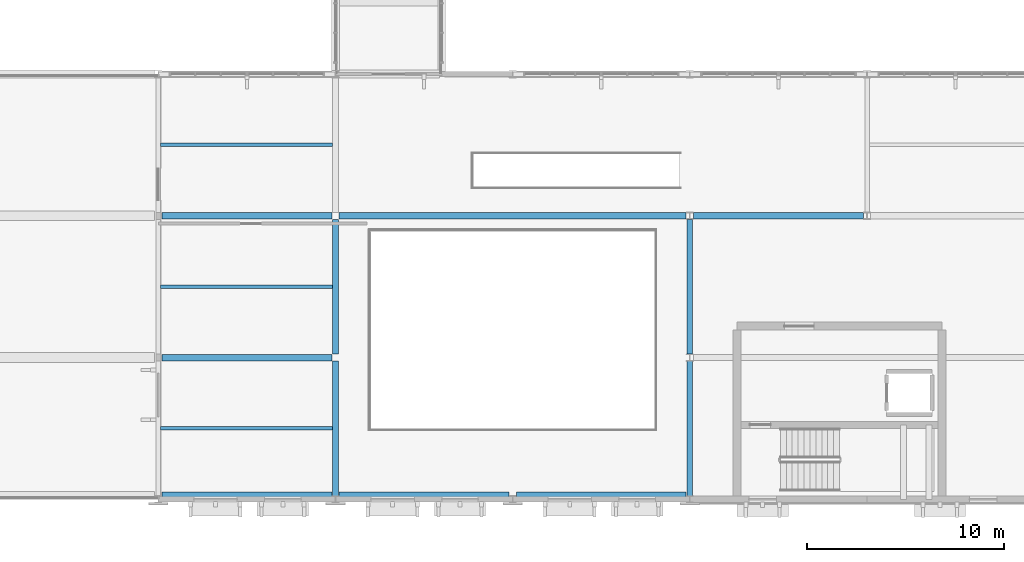
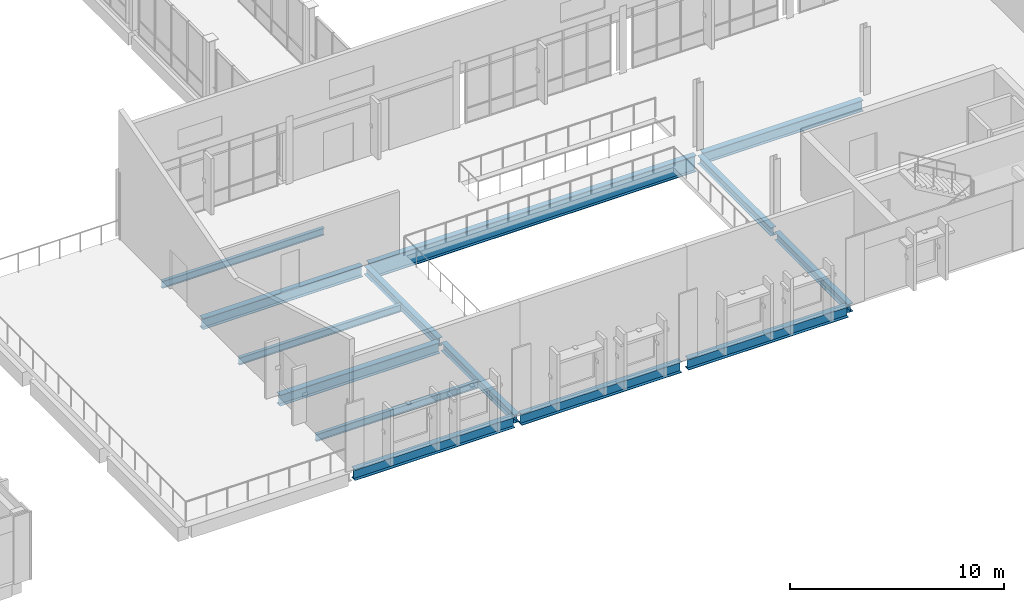
# One storey, part 18 of 85: 14 beams.
"""IFC4 building model written with IfcOpenShell, lengths in metres."""

from ifc_helpers import new_model, si_unit, direction, frame, origin, origin_2d, place, context, subcontext, project, spatial, i_section, extrude, material, material_profile, profile_set, type_object, element, save


model = new_model("IFC4")

# Units and contexts
model_context = context("Model", 3, precision=1e-05, world=origin(), true_north=direction((0.0, 1.0)))
body_context = subcontext(model_context, "Body", "Model", "MODEL_VIEW")
ifc_project = project(units=[si_unit("LENGTHUNIT", "METRE"), si_unit("AREAUNIT", "SQUARE_METRE"), si_unit("VOLUMEUNIT", "CUBIC_METRE"), si_unit("PLANEANGLEUNIT", "RADIAN"), si_unit("MASSUNIT", "GRAM", prefix="KILO")], contexts=[model_context])

# Site, building, storey
site_placement = place(None, origin())
site = spatial("IfcSite", under=ifc_project, at=site_placement, CompositionType="ELEMENT")
building_placement = place(site_placement, origin())
building = spatial("IfcBuilding", under=site, at=building_placement, Name="Vervanel Yard Central Library", CompositionType="ELEMENT")
storey_placement = place(building_placement, frame((0.0, 0.0, 5.10009765625)))
storey = spatial("IfcBuildingStorey", under=building, at=storey_placement, Name="L01", CompositionType="ELEMENT", Elevation=5.10009765625)

# Beams
ifc_material = material(Name="Steel ASTM A992 Grade 50", Category="steel")
ifc_material_profile_1 = material_profile(ifc_material, i_section(OverallWidth=0.309814453125, OverallDepth=0.93212890625, WebThickness=0.02099609375, FlangeThickness=0.034423828125, at=origin_2d()), Name="W36X210", Category="steel")
ifc_profile_set_1 = profile_set([ifc_material_profile_1], Name="Steel ASTM A992 Grade 50")
beam_type_1 = type_object("IfcBeamType", Name="Steel Auditorium Tie Girder W36X210", PredefinedType="BEAM", material=ifc_profile_set_1)
beam_placement = place(storey_placement, frame((72.18408203125, 14.39990234375, -0.736083984375), z_axis=(1.0, 0.0, 0.0), x_axis=(0.0, 1.0, 0.0)))
element("IfcBeam", 1, at=beam_placement, inside=storey, type_object=beam_type_1, Name="L01 Girder SB-06 Y=14.4 X=72.0-90.0", PredefinedType="BEAM", context=body_context, shape_type="SweptSolid", body=[
    extrude(i_section(OverallWidth=0.309814453125, OverallDepth=0.93212890625, WebThickness=0.02099609375, FlangeThickness=0.034423828125, at=origin_2d()), origin(), (0.0, 0.0, 1.0), 17.6318359375),
])
ifc_material_profile_2 = material_profile(ifc_material, i_section(OverallWidth=0.32763671875, OverallDepth=0.622314453125, WebThickness=0.015380859375, FlangeThickness=0.0244140625, at=origin_2d()), Name="W24X131", Category="steel")
ifc_profile_set_2 = profile_set([ifc_material_profile_2], Name="Steel ASTM A992 Grade 50")
beam_type_2 = type_object("IfcBeamType", Name="Steel Primary Girder W24X131", PredefinedType="BEAM", material=ifc_profile_set_2)
for number, where, z_axis, x_axis, name in (
    (2, (63.18408203125, 0.199951171875, -0.581298828125), (1.0, 0.0, 0.0), (0.0, 1.0, 0.0), "L01 Girder SB-02 Y=0.0 X=63.0-72.0"),
    (3, (72.18408203125, 0.199951171875, -0.581298828125), (1.0, 0.0, 0.0), (0.0, 1.0, 0.0), "L01 Girder SB-02 Y=0.0 X=72.0-81.0"),
    (4, (81.18408203125, 0.199951171875, -0.581298828125), (1.0, 0.0, 0.0), (0.0, 1.0, 0.0), "L01 Girder SB-02 Y=0.0 X=81.0-90.0"),
    (5, (63.18408203125, 7.199951171875, -0.581298828125), (1.0, 0.0, 0.0), (0.0, 1.0, 0.0), "L01 Girder SB-02 Y=7.2 X=63.0-72.0"),
    (6, (63.18408203125, 14.39990234375, -0.581298828125), (1.0, 0.0, 0.0), (0.0, 1.0, 0.0), "L01 Girder SB-02 Y=14.4 X=63.0-72.0"),
    (7, (90.18408203125, 14.39990234375, -0.581298828125), (1.0, 0.0, 0.0), (0.0, 1.0, 0.0), "L01 Girder SB-02 Y=14.4 X=90.0-99.0"),
):
    element("IfcBeam", number, at=place(storey_placement, frame(where, z_axis=z_axis, x_axis=x_axis)), inside=storey, type_object=beam_type_2, Name=name, PredefinedType="BEAM", context=body_context, shape_type="SweptSolid", body=[
        extrude(i_section(OverallWidth=0.32763671875, OverallDepth=0.622314453125, WebThickness=0.015380859375, FlangeThickness=0.0244140625, at=origin_2d()), origin(), (0.0, 0.0, 1.0), 8.6318359375),
    ])
ifc_material_profile_3 = material_profile(ifc_material, i_section(OverallWidth=0.1787109375, OverallDepth=0.408935546875, WebThickness=0.0087890625, FlangeThickness=0.014404296875, at=origin_2d()), Name="W16X45", Category="steel")
ifc_profile_set_3 = profile_set([ifc_material_profile_3], Name="Steel ASTM A992 Grade 50")
beam_type_3 = type_object("IfcBeamType", Name="Steel Secondary Joist W16X45", PredefinedType="JOIST", material=ifc_profile_set_3)
for number, where, z_axis, x_axis, name in (
    (8, (63.114501953125, 3.60009765625, -0.549560546875), (1.0, 0.0, 0.0), (0.0, 1.0, 0.0), "L01 Floor Joist SJ-01 Y=3.60 X=63.0-72.0"),
    (9, (63.114501953125, 10.800048828125, -0.549560546875), (1.0, 0.0, 0.0), (0.0, 1.0, 0.0), "L01 Floor Joist SJ-01 Y=10.80 X=63.0-72.0"),
    (10, (63.114501953125, 18.0, -0.549560546875), (1.0, 0.0, 0.0), (0.0, 1.0, 0.0), "L01 Floor Joist SJ-01 Y=18.00 X=63.0-72.0"),
):
    element("IfcBeam", number, at=place(storey_placement, frame(where, z_axis=z_axis, x_axis=x_axis)), inside=storey, type_object=beam_type_3, Name=name, PredefinedType="JOIST", context=body_context, shape_type="SweptSolid", body=[
        extrude(i_section(OverallWidth=0.1787109375, OverallDepth=0.408935546875, WebThickness=0.0087890625, FlangeThickness=0.014404296875, at=origin_2d()), origin(), (0.0, 0.0, 1.0), 8.744384765625),
    ])
ifc_material_profile_4 = material_profile(ifc_material, i_section(OverallWidth=0.281982421875, OverallDepth=0.46728515625, WebThickness=0.01220703125, FlangeThickness=0.01953125, at=origin_2d()), Name="W18X86", Category="steel")
ifc_profile_set_4 = profile_set([ifc_material_profile_4], Name="Steel ASTM A992 Grade 50")
beam_type_4 = type_object("IfcBeamType", Name="Steel Spandrel Beam W18X86", PredefinedType="SPANDREL", material=ifc_profile_set_4)
for number, where, z_axis, x_axis, name in (
    (11, (72.0, 0.177734375, -0.503662109375), (0.0, 1.0, 0.0), (-1.0, 0.0, 0.0), "L01 Girder SP-02 X=72.0 Y=0.0-7.2"),
    (12, (72.0, 7.377685546875, -0.503662109375), (0.0, 1.0, 0.0), (-1.0, 0.0, 0.0), "L01 Girder SP-02 X=72.0 Y=7.2-14.4"),
    (13, (90.0, 0.177734375, -0.503662109375), (0.0, 1.0, 0.0), (-1.0, 0.0, 0.0), "L01 Girder SP-02 X=90.0 Y=0.0-7.2"),
    (14, (90.0, 7.377685546875, -0.503662109375), (0.0, 1.0, 0.0), (-1.0, 0.0, 0.0), "L01 Girder SP-02 X=90.0 Y=7.2-14.4"),
):
    element("IfcBeam", number, at=place(storey_placement, frame(where, z_axis=z_axis, x_axis=x_axis)), inside=storey, type_object=beam_type_4, Name=name, PredefinedType="SPANDREL", context=body_context, shape_type="SweptSolid", body=[
        extrude(i_section(OverallWidth=0.281982421875, OverallDepth=0.46728515625, WebThickness=0.01220703125, FlangeThickness=0.01953125, at=origin_2d()), origin(), (0.0, 0.0, 1.0), 6.844482421875),
    ])

save(model, "model.ifc")
